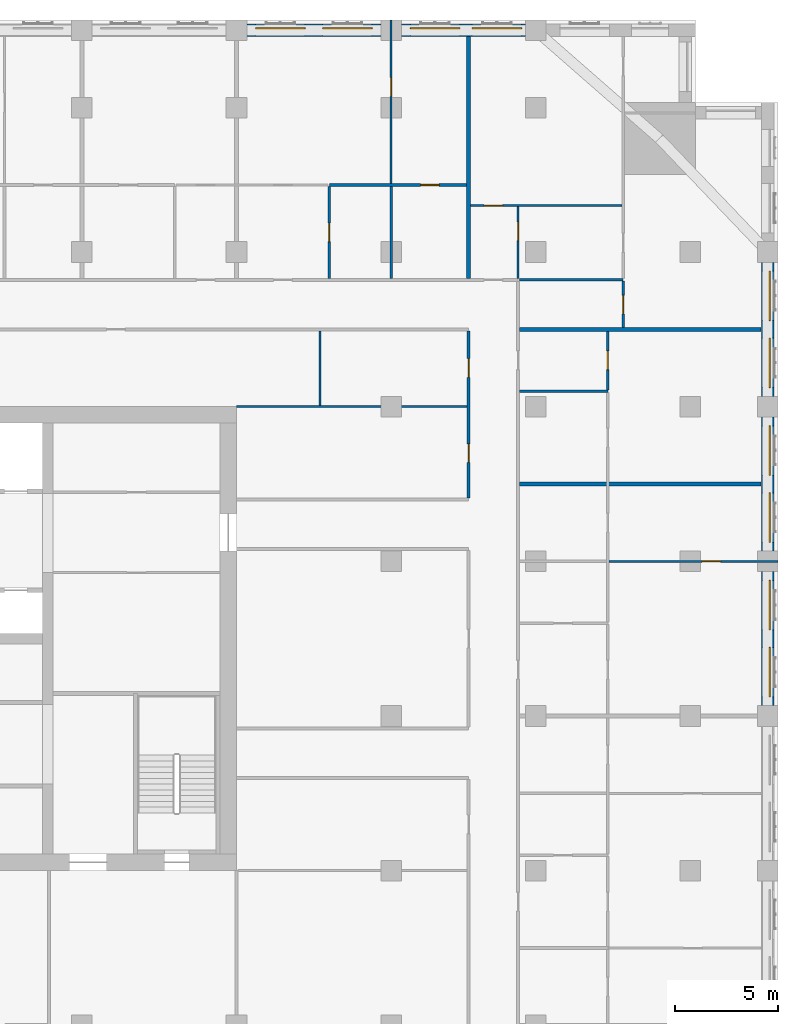
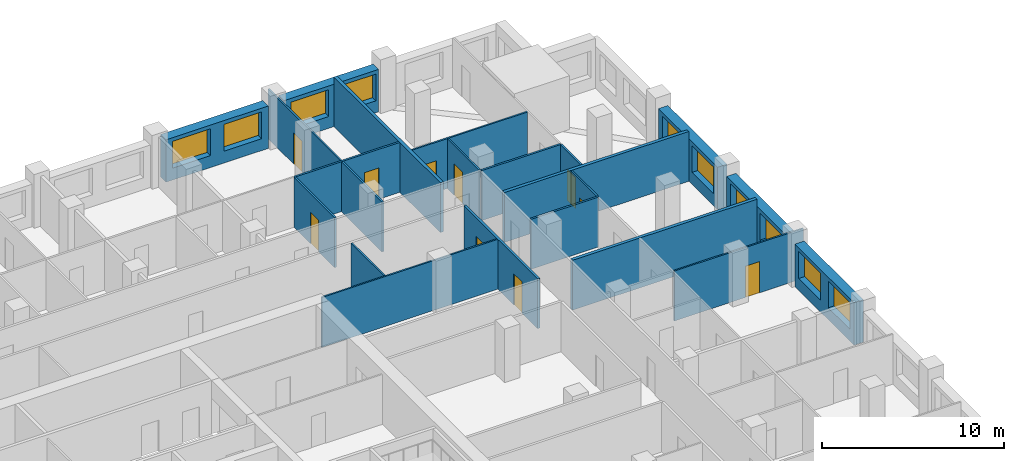
# One storey, part 10 of 13: 22 walls, 10 doors, 10 windows, 20 openings.
"""IFC4 building model written with IfcOpenShell, lengths in metres."""

import ifcopenshell
import ifcopenshell.guid

model = None  # the IFC model being written
_history = None  # IfcOwnerHistory: only IFC2X3 demands one
_inside = {}  # id of a spatial element -> (the spatial element, [elements in it])
_under = {}  # id of a project, library or spatial element -> (it, [spatial elements below it])
_declared = {}  # id of a project -> (the project, [libraries it declares])
_typed = {}  # id of a type object -> (the type object, [elements of that type])
_made_of = {}  # id of a material, layer set ... -> (it, [elements and type objects made of it])


def new_model(schema):
    """Start an empty IFC model of exactly this schema.

    Asked for "IFC4X3", IfcOpenShell would pick the latest addendum, in which some entities
    have other attributes; the version numbers below select the first issue.
    IFC2X3 requires an IfcOwnerHistory on every rooted entity: one is made here for all.
    """
    global model, _history
    if schema == "IFC4X3":
        model = ifcopenshell.file(schema_version=(4, 3, 0, 0))
    else:
        model = ifcopenshell.file(schema=schema)
    _inside.clear()
    _under.clear()
    _declared.clear()
    _typed.clear()
    _made_of.clear()
    _history = None
    if model.schema == "IFC2X3":
        org = make("IfcOrganization", Name="unknown")
        user = make(
            "IfcPersonAndOrganization",
            ThePerson=make("IfcPerson", FamilyName="unknown"),
            TheOrganization=org,
        )
        app = make(
            "IfcApplication",
            ApplicationDeveloper=org,
            Version="unknown",
            ApplicationFullName="unknown",
            ApplicationIdentifier="unknown",
        )
        _history = make(
            "IfcOwnerHistory",
            OwningUser=user,
            OwningApplication=app,
            ChangeAction="ADDED",
            CreationDate=0,
        )
    return model


def make(cls, **values):
    """One entity of the class cls with the attributes given. An attribute that is None is left unset."""
    return model.create_entity(
        cls, **{name: value for name, value in values.items() if value is not None}
    )


def rooted(cls, **values):
    """An entity with a GlobalId (a new one), such as an element, a storey or a relation."""
    return make(cls, GlobalId=ifcopenshell.guid.new(), OwnerHistory=_history, **values)


def si_unit(unit_type, name, prefix=None):
    """IfcSIUnit, for example si_unit("LENGTHUNIT", "METRE", prefix="MILLI")."""
    return make("IfcSIUnit", UnitType=unit_type, Prefix=prefix, Name=name)


def assignment(units):
    """IfcUnitAssignment: the units of a project."""
    return None if units is None else make("IfcUnitAssignment", Units=units)


def point(xyz):
    """IfcCartesianPoint."""
    return None if xyz is None else make("IfcCartesianPoint", Coordinates=xyz)


def direction(xyz):
    """IfcDirection."""
    return None if xyz is None else make("IfcDirection", DirectionRatios=xyz)


def frame(location, z_axis=None, x_axis=None):
    """IfcAxis2Placement3D, a coordinate frame: its origin and axes. An axis left out is left unset."""
    return make(
        "IfcAxis2Placement3D",
        Location=point(location),
        Axis=direction(z_axis),
        RefDirection=direction(x_axis),
    )


def frame_2d(location, x_axis=None):
    """IfcAxis2Placement2D, a coordinate frame in the plane: its origin and x axis."""
    return make(
        "IfcAxis2Placement2D", Location=point(location), RefDirection=direction(x_axis)
    )


def origin():
    """The frame at (0, 0, 0) with its axes left unset."""
    return frame((0.0, 0.0, 0.0))


def place(relative_to, where):
    """IfcLocalPlacement: puts the frame where relative to a parent placement (None: the world)."""
    return make(
        "IfcLocalPlacement", PlacementRelTo=relative_to, RelativePlacement=where
    )


def context(
    kind, dimensions, precision=None, world=None, true_north=None, identifier=None
):
    """IfcGeometricRepresentationContext, for example the 3D "Model" context."""
    return make(
        "IfcGeometricRepresentationContext",
        ContextIdentifier=identifier,
        ContextType=kind,
        CoordinateSpaceDimension=dimensions,
        Precision=precision,
        WorldCoordinateSystem=world,
        TrueNorth=true_north,
    )


def subcontext(parent, identifier, kind, view, scale=None):
    """IfcGeometricRepresentationSubContext, for example "Body" below "Model"."""
    return make(
        "IfcGeometricRepresentationSubContext",
        ContextIdentifier=identifier,
        ContextType=kind,
        ParentContext=parent,
        TargetScale=scale,
        TargetView=view,
    )


def project(units=None, contexts=None):
    """IfcProject with its units and contexts."""
    return rooted(
        "IfcProject",
        Name="project",
        RepresentationContexts=contexts,
        UnitsInContext=assignment(units),
    )


def spatial(cls, under=None, at=None, **own):
    """A site, building, storey or space (cls), placed at a placement, below another one or the project."""
    s = rooted(cls, ObjectPlacement=at, **own)
    if under is not None:
        _under.setdefault(under.id(), (under, []))[1].append(s)
    return s


def profile(cls, at=None, kind="AREA", **sizes):
    """A parametric profile (cls). Its sizes go by their IFC names, for example OverallWidth=200.0."""
    return make(cls, ProfileType=kind, Position=at, **sizes)


def rectangle(**sizes):
    """IfcRectangleProfileDef."""
    return profile("IfcRectangleProfileDef", **sizes)


def extrude(swept, where, along, depth):
    """IfcExtrudedAreaSolid: the profile swept, set in the frame where, extruded along a direction by depth."""
    return make(
        "IfcExtrudedAreaSolid",
        SweptArea=swept,
        Position=where,
        ExtrudedDirection=direction(along),
        Depth=depth,
    )


def shape(context_of_items, identifier, shape_type, items):
    """IfcShapeRepresentation: the items that make up one representation, for example the "Body"."""
    return make(
        "IfcShapeRepresentation",
        ContextOfItems=context_of_items,
        RepresentationIdentifier=identifier,
        RepresentationType=shape_type,
        Items=items,
    )


def material(Name=None, Category=None):
    """IfcMaterial."""
    return make("IfcMaterial", Name=Name, Category=Category)


def layer(
    of_material, thickness, ventilated=None, Name=None, Category=None, Priority=None
):
    """IfcMaterialLayer: one layer of a wall or slab, of a material (None: an air gap)."""
    return make(
        "IfcMaterialLayer",
        Material=of_material,
        LayerThickness=thickness,
        IsVentilated=ventilated,
        Name=Name,
        Category=Category,
        Priority=Priority,
    )


def layer_set(layers, Name=None):
    """IfcMaterialLayerSet."""
    return make("IfcMaterialLayerSet", MaterialLayers=layers, LayerSetName=Name)


def made_of(thing, what):
    """Note that an element or type object is made of a material, layer set ...; save() writes the relation."""
    if what is not None:
        _made_of.setdefault(what.id(), (what, []))[1].append(thing)
    return thing


def type_object(cls, material=None, **own):
    """A type object (cls), such as IfcWallType, which elements share."""
    return made_of(rooted(cls, **own), material)


def element(
    cls,
    number,
    at=None,
    inside=None,
    cuts=None,
    type_object=None,
    material=None,
    context=None,
    identifier="Body",
    shape_type=None,
    held_by="IfcProductDefinitionShape",
    body=None,
    shapes=None,
    **own,
):
    """One element of the class cls, such as IfcWall. Its Tag is "e" and its number.

    at: its placement. inside: the storey or other place that contains it. cuts: it is an
    opening in that element (IfcRelVoidsElement). A single representation is given by context,
    identifier, shape_type and body (its items); several are given by shapes. held_by: the class
    of the entity that holds the representations. save() writes the other relations.
    """
    e = rooted(cls, Tag="e%d" % number, ObjectPlacement=at, **own)
    if body is not None:
        shapes = [shape(context, identifier, shape_type, body)]
    if shapes is not None:
        e.Representation = make(held_by, Representations=shapes)
    if inside is not None:
        _inside.setdefault(inside.id(), (inside, []))[1].append(e)
    if cuts is not None:
        rooted(
            "IfcRelVoidsElement", RelatingBuildingElement=cuts, RelatedOpeningElement=e
        )
    if type_object is not None:
        _typed.setdefault(type_object.id(), (type_object, []))[1].append(e)
    return made_of(e, material)


def fill(opening, filler):
    """IfcRelFillsElement: the door or window that sits in an opening."""
    return rooted(
        "IfcRelFillsElement",
        RelatingOpeningElement=opening,
        RelatedBuildingElement=filler,
    )


def aggregate(whole, parts):
    """IfcRelAggregates: a whole, such as a stair, and the parts it consists of."""
    return rooted("IfcRelAggregates", RelatingObject=whole, RelatedObjects=parts)


def save(model, path):
    """Write the relations noted so far, then the file.

    IfcRelAggregates (storeys below a building ...), IfcRelContainedInSpatialStructure (elements
    in a storey), IfcRelDefinesByType, IfcRelAssociatesMaterial and IfcRelDeclares: one each for
    every whole, place, type object, material and project.
    """
    for whole, parts in _under.values():
        aggregate(whole, parts)
    for where, things in _inside.values():
        rooted(
            "IfcRelContainedInSpatialStructure",
            RelatedElements=things,
            RelatingStructure=where,
        )
    for kind, things in _typed.values():
        rooted("IfcRelDefinesByType", RelatedObjects=things, RelatingType=kind)
    for what, things in _made_of.values():
        rooted("IfcRelAssociatesMaterial", RelatedObjects=things, RelatingMaterial=what)
    for by, libraries in _declared.values():
        rooted("IfcRelDeclares", RelatingContext=by, RelatedDefinitions=libraries)
    model.write(path)


model = new_model("IFC4")

# Units and contexts
model_context = context("Model", 3, precision=1e-05, world=origin(), true_north=direction((0.0, 1.0)))
body_context = subcontext(model_context, "Body", "Model", "MODEL_VIEW")
ifc_project = project(units=[si_unit("LENGTHUNIT", "METRE"), si_unit("AREAUNIT", "SQUARE_METRE"), si_unit("VOLUMEUNIT", "CUBIC_METRE"), si_unit("PLANEANGLEUNIT", "RADIAN"), si_unit("MASSUNIT", "GRAM", prefix="KILO")], contexts=[model_context])

# Site, building, storey
site_placement = place(None, origin())
site = spatial("IfcSite", under=ifc_project, at=site_placement, CompositionType="ELEMENT")
building_placement = place(site_placement, origin())
building = spatial("IfcBuilding", under=site, at=building_placement, Name="Tamorin Gate", CompositionType="ELEMENT")
storey_placement = place(building_placement, frame((0.0, 0.0, 130.199951171875)))
storey = spatial("IfcBuildingStorey", under=building, at=storey_placement, Name="L31", CompositionType="ELEMENT", Elevation=130.199951171875)

# Wall, openings, windows
ifc_material_1 = material(Name="Precast concrete C40/50", Category="concrete")
ifc_layer_1 = layer(ifc_material_1, 0.60009765625)
ifc_layer_set_1 = layer_set([ifc_layer_1], Name="Precast concrete C40/50")
wall_type_1 = type_object("IfcWallType", Name="Board-marked concrete facade panel 600", PredefinedType="SOLIDWALL", material=ifc_layer_set_1)
wall_1_placement = place(storey_placement, frame((85.75, 68.0, 0.0), z_axis=(0.0, 0.0, 1.0), x_axis=(0.0, 1.0, 0.0)))
wall_1 = element("IfcWall", 1, at=wall_1_placement, inside=storey, type_object=wall_type_1, Name="Facade panel", PredefinedType="SOLIDWALL", context=body_context, shape_type="SweptSolid", body=[
    extrude(rectangle(XDim=6.5, YDim=0.60009765625, at=frame_2d((3.25, 0.0))), origin(), (0.0, 0.0, 1.0), 2.85009765625),
])
opening_1_placement = place(wall_1_placement, frame((0.425048828125, 0.0, 0.800048828125)))
opening_1 = element("IfcOpeningElement", 2, at=opening_1_placement, cuts=wall_1, Name="Opening WN1", PredefinedType="OPENING", context=body_context, shape_type="SweptSolid", body=[
    extrude(rectangle(XDim=2.39990234375, YDim=1.800048828125, at=frame_2d((1.199951171875, 0.89990234375))), frame((0.0, 0.31005859375, 0.0), z_axis=(0.0, -1.0, 0.0), x_axis=(1.0, 0.0, 0.0)), (0.0, 0.0, 1.0), 0.6201171875),
])
opening_2_placement = place(wall_1_placement, frame((3.675048828125, 0.0, 0.800048828125)))
opening_2 = element("IfcOpeningElement", 3, at=opening_2_placement, cuts=wall_1, Name="Opening WN1", PredefinedType="OPENING", context=body_context, shape_type="SweptSolid", body=[
    extrude(rectangle(XDim=2.39990234375, YDim=1.800048828125, at=frame_2d((1.199951171875, 0.89990234375))), frame((0.0, 0.31005859375, 0.0), z_axis=(0.0, -1.0, 0.0), x_axis=(1.0, 0.0, 0.0)), (0.0, 0.0, 1.0), 0.6201171875),
])
ifc_material_2 = material(Name="Clear glass in aluminium frame", Category="aluminium")
window_type = type_object("IfcWindowType", Name="Deep-set window 2400x1800", PartitioningType="SINGLE_PANEL", PredefinedType="WINDOW", material=ifc_material_2)
window_1_placement = place(opening_1_placement, origin())
window_1 = element("IfcWindow", 4, at=window_1_placement, inside=storey, type_object=window_type, Name="Deep-set window", OverallHeight=1.800048828125, OverallWidth=2.39990234375, PartitioningType="SINGLE_PANEL", PredefinedType="WINDOW", context=body_context, shape_type="SweptSolid", body=[
    extrude(rectangle(XDim=2.39990234375, YDim=1.800048828125, at=frame_2d((1.199951171875, 0.89990234375))), frame((0.0, -0.070068359375, 0.0), z_axis=(0.0, -1.0, 0.0), x_axis=(1.0, 0.0, 0.0)), (0.0, 0.0, 1.0), 0.06005859375),
])
fill(opening_1, window_1)
window_2_placement = place(opening_2_placement, origin())
window_2 = element("IfcWindow", 5, at=window_2_placement, inside=storey, type_object=window_type, Name="Deep-set window", OverallHeight=1.800048828125, OverallWidth=2.39990234375, PartitioningType="SINGLE_PANEL", PredefinedType="WINDOW", context=body_context, shape_type="SweptSolid", body=[
    extrude(rectangle(XDim=2.39990234375, YDim=1.800048828125, at=frame_2d((1.199951171875, 0.89990234375))), frame((0.0, -0.070068359375, 0.0), z_axis=(0.0, -1.0, 0.0), x_axis=(1.0, 0.0, 0.0)), (0.0, 0.0, 1.0), 0.06005859375),
])
fill(opening_2, window_2)

wall_2_placement = place(storey_placement, frame((85.75, 75.5, 0.0), z_axis=(0.0, 0.0, 1.0), x_axis=(0.0, 1.0, 0.0)))
wall_2 = element("IfcWall", 6, at=wall_2_placement, inside=storey, type_object=wall_type_1, Name="Facade panel", PredefinedType="SOLIDWALL", context=body_context, shape_type="SweptSolid", body=[
    extrude(rectangle(XDim=6.5, YDim=0.60009765625, at=frame_2d((3.25, 0.0))), origin(), (0.0, 0.0, 1.0), 2.85009765625),
])
opening_3_placement = place(wall_2_placement, frame((0.425048828125, 0.0, 0.800048828125)))
opening_3 = element("IfcOpeningElement", 7, at=opening_3_placement, cuts=wall_2, Name="Opening WN1", PredefinedType="OPENING", context=body_context, shape_type="SweptSolid", body=[
    extrude(rectangle(XDim=2.39990234375, YDim=1.800048828125, at=frame_2d((1.199951171875, 0.89990234375))), frame((0.0, 0.31005859375, 0.0), z_axis=(0.0, -1.0, 0.0), x_axis=(1.0, 0.0, 0.0)), (0.0, 0.0, 1.0), 0.6201171875),
])
opening_4_placement = place(wall_2_placement, frame((3.675048828125, 0.0, 0.800048828125)))
opening_4 = element("IfcOpeningElement", 8, at=opening_4_placement, cuts=wall_2, Name="Opening WN1", PredefinedType="OPENING", context=body_context, shape_type="SweptSolid", body=[
    extrude(rectangle(XDim=2.39990234375, YDim=1.800048828125, at=frame_2d((1.199951171875, 0.89990234375))), frame((0.0, 0.31005859375, 0.0), z_axis=(0.0, -1.0, 0.0), x_axis=(1.0, 0.0, 0.0)), (0.0, 0.0, 1.0), 0.6201171875),
])
window_3_placement = place(opening_3_placement, origin())
window_3 = element("IfcWindow", 9, at=window_3_placement, inside=storey, type_object=window_type, Name="Deep-set window", OverallHeight=1.800048828125, OverallWidth=2.39990234375, PartitioningType="SINGLE_PANEL", PredefinedType="WINDOW", context=body_context, shape_type="SweptSolid", body=[
    extrude(rectangle(XDim=2.39990234375, YDim=1.800048828125, at=frame_2d((1.199951171875, 0.89990234375))), frame((0.0, -0.070068359375, 0.0), z_axis=(0.0, -1.0, 0.0), x_axis=(1.0, 0.0, 0.0)), (0.0, 0.0, 1.0), 0.06005859375),
])
fill(opening_3, window_3)
window_4_placement = place(opening_4_placement, origin())
window_4 = element("IfcWindow", 10, at=window_4_placement, inside=storey, type_object=window_type, Name="Deep-set window", OverallHeight=1.800048828125, OverallWidth=2.39990234375, PartitioningType="SINGLE_PANEL", PredefinedType="WINDOW", context=body_context, shape_type="SweptSolid", body=[
    extrude(rectangle(XDim=2.39990234375, YDim=1.800048828125, at=frame_2d((1.199951171875, 0.89990234375))), frame((0.0, -0.070068359375, 0.0), z_axis=(0.0, -1.0, 0.0), x_axis=(1.0, 0.0, 0.0)), (0.0, 0.0, 1.0), 0.06005859375),
])
fill(opening_4, window_4)

wall_3_placement = place(storey_placement, frame((85.75, 83.0, 0.0), z_axis=(0.0, 0.0, 1.0), x_axis=(0.0, 1.0, 0.0)))
wall_3 = element("IfcWall", 11, at=wall_3_placement, inside=storey, type_object=wall_type_1, Name="Facade panel", PredefinedType="SOLIDWALL", context=body_context, shape_type="SweptSolid", body=[
    extrude(rectangle(XDim=6.5, YDim=0.60009765625, at=frame_2d((3.25, 0.0))), origin(), (0.0, 0.0, 1.0), 2.85009765625),
])
opening_5_placement = place(wall_3_placement, frame((0.425048828125, 0.0, 0.800048828125)))
opening_5 = element("IfcOpeningElement", 12, at=opening_5_placement, cuts=wall_3, Name="Opening WN1", PredefinedType="OPENING", context=body_context, shape_type="SweptSolid", body=[
    extrude(rectangle(XDim=2.39990234375, YDim=1.800048828125, at=frame_2d((1.199951171875, 0.89990234375))), frame((0.0, 0.31005859375, 0.0), z_axis=(0.0, -1.0, 0.0), x_axis=(1.0, 0.0, 0.0)), (0.0, 0.0, 1.0), 0.6201171875),
])
opening_6_placement = place(wall_3_placement, frame((3.675048828125, 0.0, 0.800048828125)))
opening_6 = element("IfcOpeningElement", 13, at=opening_6_placement, cuts=wall_3, Name="Opening WN1", PredefinedType="OPENING", context=body_context, shape_type="SweptSolid", body=[
    extrude(rectangle(XDim=2.39990234375, YDim=1.800048828125, at=frame_2d((1.199951171875, 0.89990234375))), frame((0.0, 0.31005859375, 0.0), z_axis=(0.0, -1.0, 0.0), x_axis=(1.0, 0.0, 0.0)), (0.0, 0.0, 1.0), 0.6201171875),
])
window_5_placement = place(opening_5_placement, origin())
window_5 = element("IfcWindow", 14, at=window_5_placement, inside=storey, type_object=window_type, Name="Deep-set window", OverallHeight=1.800048828125, OverallWidth=2.39990234375, PartitioningType="SINGLE_PANEL", PredefinedType="WINDOW", context=body_context, shape_type="SweptSolid", body=[
    extrude(rectangle(XDim=2.39990234375, YDim=1.800048828125, at=frame_2d((1.199951171875, 0.89990234375))), frame((0.0, -0.070068359375, 0.0), z_axis=(0.0, -1.0, 0.0), x_axis=(1.0, 0.0, 0.0)), (0.0, 0.0, 1.0), 0.06005859375),
])
fill(opening_5, window_5)
window_6_placement = place(opening_6_placement, origin())
window_6 = element("IfcWindow", 15, at=window_6_placement, inside=storey, type_object=window_type, Name="Deep-set window", OverallHeight=1.800048828125, OverallWidth=2.39990234375, PartitioningType="SINGLE_PANEL", PredefinedType="WINDOW", context=body_context, shape_type="SweptSolid", body=[
    extrude(rectangle(XDim=2.39990234375, YDim=1.800048828125, at=frame_2d((1.199951171875, 0.89990234375))), frame((0.0, -0.070068359375, 0.0), z_axis=(0.0, -1.0, 0.0), x_axis=(1.0, 0.0, 0.0)), (0.0, 0.0, 1.0), 0.06005859375),
])
fill(opening_6, window_6)

wall_4_placement = place(storey_placement, frame((74.0, 100.75, 0.0), z_axis=(0.0, 0.0, 1.0), x_axis=(-1.0, 0.0, 0.0)))
wall_4 = element("IfcWall", 16, at=wall_4_placement, inside=storey, type_object=wall_type_1, Name="Facade panel", PredefinedType="SOLIDWALL", context=body_context, shape_type="SweptSolid", body=[
    extrude(rectangle(XDim=6.0, YDim=0.60009765625, at=frame_2d((3.0, 0.0))), origin(), (0.0, 0.0, 1.0), 2.85009765625),
])
opening_7_placement = place(wall_4_placement, frame((3.175048828125, 0.0, 0.800048828125)))
opening_7 = element("IfcOpeningElement", 17, at=opening_7_placement, cuts=wall_4, Name="Opening WN1", PredefinedType="OPENING", context=body_context, shape_type="SweptSolid", body=[
    extrude(rectangle(XDim=2.39990234375, YDim=1.800048828125, at=frame_2d((1.199951171875, 0.89990234375))), frame((0.0, 0.31005859375, 0.0), z_axis=(0.0, -1.0, 0.0), x_axis=(1.0, 0.0, 0.0)), (0.0, 0.0, 1.0), 0.6201171875),
])
opening_8_placement = place(wall_4_placement, frame((0.175048828125, 0.0, 0.800048828125)))
opening_8 = element("IfcOpeningElement", 18, at=opening_8_placement, cuts=wall_4, Name="Opening WN1", PredefinedType="OPENING", context=body_context, shape_type="SweptSolid", body=[
    extrude(rectangle(XDim=2.39990234375, YDim=1.800048828125, at=frame_2d((1.199951171875, 0.89990234375))), frame((0.0, 0.31005859375, 0.0), z_axis=(0.0, -1.0, 0.0), x_axis=(1.0, 0.0, 0.0)), (0.0, 0.0, 1.0), 0.6201171875),
])
window_7_placement = place(opening_7_placement, origin())
window_7 = element("IfcWindow", 19, at=window_7_placement, inside=storey, type_object=window_type, Name="Deep-set window", OverallHeight=1.800048828125, OverallWidth=2.39990234375, PartitioningType="SINGLE_PANEL", PredefinedType="WINDOW", context=body_context, shape_type="SweptSolid", body=[
    extrude(rectangle(XDim=2.39990234375, YDim=1.800048828125, at=frame_2d((1.199951171875, 0.89990234375))), frame((0.0, -0.070068359375, 0.0), z_axis=(0.0, -1.0, 0.0), x_axis=(1.0, 0.0, 0.0)), (0.0, 0.0, 1.0), 0.06005859375),
])
fill(opening_7, window_7)
window_8_placement = place(opening_8_placement, origin())
window_8 = element("IfcWindow", 20, at=window_8_placement, inside=storey, type_object=window_type, Name="Deep-set window", OverallHeight=1.800048828125, OverallWidth=2.39990234375, PartitioningType="SINGLE_PANEL", PredefinedType="WINDOW", context=body_context, shape_type="SweptSolid", body=[
    extrude(rectangle(XDim=2.39990234375, YDim=1.800048828125, at=frame_2d((1.199951171875, 0.89990234375))), frame((0.0, -0.070068359375, 0.0), z_axis=(0.0, -1.0, 0.0), x_axis=(1.0, 0.0, 0.0)), (0.0, 0.0, 1.0), 0.06005859375),
])
fill(opening_8, window_8)

wall_5_placement = place(storey_placement, frame((67.0, 100.75, 0.0), z_axis=(0.0, 0.0, 1.0), x_axis=(-1.0, 0.0, 0.0)))
wall_5 = element("IfcWall", 21, at=wall_5_placement, inside=storey, type_object=wall_type_1, Name="Facade panel", PredefinedType="SOLIDWALL", context=body_context, shape_type="SweptSolid", body=[
    extrude(rectangle(XDim=6.5, YDim=0.60009765625, at=frame_2d((3.25, 0.0))), origin(), (0.0, 0.0, 1.0), 2.85009765625),
])
opening_9_placement = place(wall_5_placement, frame((3.675048828125, 0.0, 0.800048828125)))
opening_9 = element("IfcOpeningElement", 22, at=opening_9_placement, cuts=wall_5, Name="Opening WN1", PredefinedType="OPENING", context=body_context, shape_type="SweptSolid", body=[
    extrude(rectangle(XDim=2.39990234375, YDim=1.800048828125, at=frame_2d((1.199951171875, 0.89990234375))), frame((0.0, 0.31005859375, 0.0), z_axis=(0.0, -1.0, 0.0), x_axis=(1.0, 0.0, 0.0)), (0.0, 0.0, 1.0), 0.6201171875),
])
opening_10_placement = place(wall_5_placement, frame((0.425048828125, 0.0, 0.800048828125)))
opening_10 = element("IfcOpeningElement", 23, at=opening_10_placement, cuts=wall_5, Name="Opening WN1", PredefinedType="OPENING", context=body_context, shape_type="SweptSolid", body=[
    extrude(rectangle(XDim=2.39990234375, YDim=1.800048828125, at=frame_2d((1.199951171875, 0.89990234375))), frame((0.0, 0.31005859375, 0.0), z_axis=(0.0, -1.0, 0.0), x_axis=(1.0, 0.0, 0.0)), (0.0, 0.0, 1.0), 0.6201171875),
])
window_9_placement = place(opening_9_placement, origin())
window_9 = element("IfcWindow", 24, at=window_9_placement, inside=storey, type_object=window_type, Name="Deep-set window", OverallHeight=1.800048828125, OverallWidth=2.39990234375, PartitioningType="SINGLE_PANEL", PredefinedType="WINDOW", context=body_context, shape_type="SweptSolid", body=[
    extrude(rectangle(XDim=2.39990234375, YDim=1.800048828125, at=frame_2d((1.199951171875, 0.89990234375))), frame((0.0, -0.070068359375, 0.0), z_axis=(0.0, -1.0, 0.0), x_axis=(1.0, 0.0, 0.0)), (0.0, 0.0, 1.0), 0.06005859375),
])
fill(opening_9, window_9)
window_10_placement = place(opening_10_placement, origin())
window_10 = element("IfcWindow", 25, at=window_10_placement, inside=storey, type_object=window_type, Name="Deep-set window", OverallHeight=1.800048828125, OverallWidth=2.39990234375, PartitioningType="SINGLE_PANEL", PredefinedType="WINDOW", context=body_context, shape_type="SweptSolid", body=[
    extrude(rectangle(XDim=2.39990234375, YDim=1.800048828125, at=frame_2d((1.199951171875, 0.89990234375))), frame((0.0, -0.070068359375, 0.0), z_axis=(0.0, -1.0, 0.0), x_axis=(1.0, 0.0, 0.0)), (0.0, 0.0, 1.0), 0.06005859375),
])
fill(opening_10, window_10)

# Wall, openings, doors
ifc_material_3 = material(Name="Gypsum board partition")
ifc_layer_2 = layer(ifc_material_3, 0.14990234375)
ifc_layer_set_2 = layer_set([ifc_layer_2], Name="Corridor wall 150")
wall_type_2 = type_object("IfcWallType", Name="Corridor wall 150", PredefinedType="PARTITIONING", material=ifc_layer_set_2)
wall_6_placement = place(storey_placement, frame((71.25, 78.074951171875, 0.0), z_axis=(0.0, 0.0, 1.0), x_axis=(0.0, 1.0, 0.0)))
wall_6 = element("IfcWall", 26, at=wall_6_placement, inside=storey, type_object=wall_type_2, Name="Corridor wall 150", PredefinedType="PARTITIONING", context=body_context, shape_type="SweptSolid", body=[
    extrude(rectangle(XDim=8.10009765625, YDim=0.14990234375, at=frame_2d((4.050048828125, 0.0))), origin(), (0.0, 0.0, 1.0), 3.35009765625),
])
opening_11_placement = place(wall_6_placement, frame((5.85009765625, 0.0, 0.0)))
opening_11 = element("IfcOpeningElement", 27, at=opening_11_placement, cuts=wall_6, Name="Opening DS1069", PredefinedType="OPENING", context=body_context, shape_type="SweptSolid", body=[
    extrude(rectangle(XDim=0.89990234375, YDim=2.10009765625, at=frame_2d((0.449951171875, 1.050048828125))), frame((0.0, 0.0849609375, 0.0), z_axis=(0.0, -1.0, 0.0), x_axis=(1.0, 0.0, 0.0)), (0.0, 0.0, 1.0), 0.169921875),
])
opening_12_placement = place(wall_6_placement, frame((1.72509765625, 0.0, 0.0)))
opening_12 = element("IfcOpeningElement", 28, at=opening_12_placement, cuts=wall_6, Name="Opening DS1072", PredefinedType="OPENING", context=body_context, shape_type="SweptSolid", body=[
    extrude(rectangle(XDim=0.89990234375, YDim=2.10009765625, at=frame_2d((0.449951171875, 1.050048828125))), frame((0.0, 0.0849609375, 0.0), z_axis=(0.0, -1.0, 0.0), x_axis=(1.0, 0.0, 0.0)), (0.0, 0.0, 1.0), 0.169921875),
])
ifc_material_4 = material(Name="Timber door leaf", Category="wood")
door_type_1 = type_object("IfcDoorType", Name="Door 900 x 2100 FD30S", OperationType="NOTDEFINED", PredefinedType="DOOR", material=ifc_material_4)
door_1_placement = place(opening_11_placement, origin())
door_1 = element("IfcDoor", 29, at=door_1_placement, inside=storey, type_object=door_type_1, Name="Door DS1069", OperationType="SINGLE_SWING_LEFT", OverallHeight=2.10009765625, OverallWidth=0.89990234375, PredefinedType="DOOR", context=body_context, shape_type="SweptSolid", body=[
    extrude(rectangle(XDim=0.89990234375, YDim=2.10009765625, at=frame_2d((0.449951171875, 1.050048828125))), frame((0.0, 0.02490234375, 0.0), z_axis=(0.0, -1.0, 0.0), x_axis=(1.0, 0.0, 0.0)), (0.0, 0.0, 1.0), 0.050048828125),
])
fill(opening_11, door_1)
door_2_placement = place(opening_12_placement, origin())
door_2 = element("IfcDoor", 30, at=door_2_placement, inside=storey, type_object=door_type_1, Name="Door DS1072", OperationType="SINGLE_SWING_LEFT", OverallHeight=2.10009765625, OverallWidth=0.89990234375, PredefinedType="DOOR", context=body_context, shape_type="SweptSolid", body=[
    extrude(rectangle(XDim=0.89990234375, YDim=2.10009765625, at=frame_2d((0.449951171875, 1.050048828125))), frame((0.0, 0.02490234375, 0.0), z_axis=(0.0, -1.0, 0.0), x_axis=(1.0, 0.0, 0.0)), (0.0, 0.0, 1.0), 0.050048828125),
])
fill(opening_12, door_2)

# Walls
ifc_layer_3 = layer(ifc_material_3, 0.199951171875)
ifc_layer_set_3 = layer_set([ifc_layer_3], Name="Demising wall 200")
wall_type_3 = type_object("IfcWallType", Name="Demising wall 200", PredefinedType="PARTITIONING", material=ifc_layer_set_3)
for number, where, z_axis, x_axis, name in (
    (31, (73.72509765625, 78.75, 0.0), (0.0, 0.0, 1.0), (1.0, 0.0, 0.0), "Demising wall 200"),
    (32, (73.72509765625, 86.25, 0.0), (0.0, 0.0, 1.0), (1.0, 0.0, 0.0), "Demising wall 200"),
    (33, (71.25, 88.72509765625, 0.0), (0.0, 0.0, 1.0), (0.0, 1.0, 0.0), "Demising wall 200"),
):
    element("IfcWall", number, at=place(storey_placement, frame(where, z_axis=z_axis, x_axis=x_axis)), inside=storey, type_object=wall_type_3, Name=name, PredefinedType="PARTITIONING", context=body_context, shape_type="SweptSolid", body=[
        extrude(rectangle(XDim=11.71484375, YDim=0.199951171875, at=frame_2d((5.857421875, 0.0))), origin(), (0.0, 0.0, 1.0), 3.35009765625),
    ])

# Wall, opening, door
ifc_layer_4 = layer(ifc_material_3, 0.10009765625)
ifc_layer_set_4 = layer_set([ifc_layer_4], Name="Room partition 100")
wall_type_4 = type_object("IfcWallType", Name="Room partition 100", PredefinedType="PARTITIONING", material=ifc_layer_set_4)
wall_7_placement = place(storey_placement, frame((78.0625, 75.0, 0.0), z_axis=(0.0, 0.0, 1.0), x_axis=(1.0, 0.0, 0.0)))
wall_7 = element("IfcWall", 34, at=wall_7_placement, inside=storey, type_object=wall_type_4, Name="Room partition 100", PredefinedType="PARTITIONING", context=body_context, shape_type="SweptSolid", body=[
    extrude(rectangle(XDim=8.1875, YDim=0.10009765625, at=frame_2d((4.09375, 0.0))), origin(), (0.0, 0.0, 1.0), 3.35009765625),
])
opening_13_placement = place(wall_7_placement, frame((4.512451171875, 0.0, 0.0)))
opening_13 = element("IfcOpeningElement", 35, at=opening_13_placement, cuts=wall_7, Name="Opening DS1047", PredefinedType="OPENING", context=body_context, shape_type="SweptSolid", body=[
    extrude(rectangle(XDim=0.89990234375, YDim=2.10009765625, at=frame_2d((0.449951171875, 1.050048828125))), frame((0.0, 0.06005859375, 0.0), z_axis=(0.0, -1.0, 0.0), x_axis=(1.0, 0.0, 0.0)), (0.0, 0.0, 1.0), 0.1201171875),
])
door_type_2 = type_object("IfcDoorType", Name="Door 900 x 2100", OperationType="NOTDEFINED", PredefinedType="DOOR", material=ifc_material_4)
door_3_placement = place(opening_13_placement, origin())
door_3 = element("IfcDoor", 36, at=door_3_placement, inside=storey, type_object=door_type_2, Name="Door DS1047", OperationType="SINGLE_SWING_LEFT", OverallHeight=2.10009765625, OverallWidth=0.89990234375, PredefinedType="DOOR", context=body_context, shape_type="SweptSolid", body=[
    extrude(rectangle(XDim=0.89990234375, YDim=2.10009765625, at=frame_2d((0.449951171875, 1.050048828125))), frame((0.0, 0.02490234375, 0.0), z_axis=(0.0, -1.0, 0.0), x_axis=(1.0, 0.0, 0.0)), (0.0, 0.0, 1.0), 0.050048828125),
])
fill(opening_13, door_3)

# Wall
wall_8_placement = place(storey_placement, frame((60.0, 82.5, 0.0), z_axis=(0.0, 0.0, 1.0), x_axis=(1.0, 0.0, 0.0)))
element("IfcWall", 37, at=wall_8_placement, inside=storey, type_object=wall_type_4, Name="Room partition 100", PredefinedType="PARTITIONING", context=body_context, shape_type="SweptSolid", body=[
    extrude(rectangle(XDim=11.175048828125, YDim=0.10009765625, at=frame_2d((5.58740234375, 0.0))), origin(), (0.0, 0.0, 1.0), 3.35009765625),
])

# Wall, opening, door
wall_9_placement = place(storey_placement, frame((71.35009765625, 92.25, 0.0), z_axis=(0.0, 0.0, 1.0), x_axis=(1.0, 0.0, 0.0)))
wall_9 = element("IfcWall", 38, at=wall_9_placement, inside=storey, type_object=wall_type_4, Name="Room partition 100", PredefinedType="PARTITIONING", context=body_context, shape_type="SweptSolid", body=[
    extrude(rectangle(XDim=7.349853515625, YDim=0.10009765625, at=frame_2d((3.6748046875, 0.0))), origin(), (0.0, 0.0, 1.0), 3.35009765625),
])
opening_14_placement = place(wall_9_placement, frame((0.64990234375, 0.0, 0.0)))
opening_14 = element("IfcOpeningElement", 39, at=opening_14_placement, cuts=wall_9, Name="Opening DS1058", PredefinedType="OPENING", context=body_context, shape_type="SweptSolid", body=[
    extrude(rectangle(XDim=0.89990234375, YDim=2.10009765625, at=frame_2d((0.449951171875, 1.050048828125))), frame((0.0, 0.06005859375, 0.0), z_axis=(0.0, -1.0, 0.0), x_axis=(1.0, 0.0, 0.0)), (0.0, 0.0, 1.0), 0.1201171875),
])
door_4_placement = place(opening_14_placement, origin())
door_4 = element("IfcDoor", 40, at=door_4_placement, inside=storey, type_object=door_type_2, Name="Door DS1058", OperationType="SINGLE_SWING_LEFT", OverallHeight=2.10009765625, OverallWidth=0.89990234375, PredefinedType="DOOR", context=body_context, shape_type="SweptSolid", body=[
    extrude(rectangle(XDim=0.89990234375, YDim=2.10009765625, at=frame_2d((0.449951171875, 1.050048828125))), frame((0.0, 0.02490234375, 0.0), z_axis=(0.0, -1.0, 0.0), x_axis=(1.0, 0.0, 0.0)), (0.0, 0.0, 1.0), 0.050048828125),
])
fill(opening_14, door_4)

# Wall
wall_10_placement = place(storey_placement, frame((64.050048828125, 82.550048828125, 0.0), z_axis=(0.0, 0.0, 1.0), x_axis=(0.0, 1.0, 0.0)))
element("IfcWall", 41, at=wall_10_placement, inside=storey, type_object=wall_type_4, Name="Room partition 100", PredefinedType="PARTITIONING", context=body_context, shape_type="SweptSolid", body=[
    extrude(rectangle(XDim=3.625, YDim=0.10009765625, at=frame_2d((1.8125, 0.0))), origin(), (0.0, 0.0, 1.0), 3.35009765625),
])

# Wall, opening, door
wall_11_placement = place(storey_placement, frame((67.5, 93.3125, 0.0), z_axis=(0.0, 0.0, 1.0), x_axis=(0.0, 1.0, 0.0)))
wall_11 = element("IfcWall", 42, at=wall_11_placement, inside=storey, type_object=wall_type_4, Name="Room partition 100", PredefinedType="PARTITIONING", context=body_context, shape_type="SweptSolid", body=[
    extrude(rectangle(XDim=7.9375, YDim=0.10009765625, at=frame_2d((3.96875, 0.0))), origin(), (0.0, 0.0, 1.0), 3.35009765625),
])
opening_15_placement = place(wall_11_placement, frame((4.237548828125, 0.0, 0.0)))
opening_15 = element("IfcOpeningElement", 43, at=opening_15_placement, cuts=wall_11, Name="Opening DS1035", PredefinedType="OPENING", context=body_context, shape_type="SweptSolid", body=[
    extrude(rectangle(XDim=0.89990234375, YDim=2.10009765625, at=frame_2d((0.449951171875, 1.050048828125))), frame((0.0, 0.06005859375, 0.0), z_axis=(0.0, -1.0, 0.0), x_axis=(1.0, 0.0, 0.0)), (0.0, 0.0, 1.0), 0.1201171875),
])
door_5_placement = place(opening_15_placement, origin())
door_5 = element("IfcDoor", 44, at=door_5_placement, inside=storey, type_object=door_type_2, Name="Door DS1035", OperationType="SINGLE_SWING_RIGHT", OverallHeight=2.10009765625, OverallWidth=0.89990234375, PredefinedType="DOOR", context=body_context, shape_type="SweptSolid", body=[
    extrude(rectangle(XDim=0.89990234375, YDim=2.10009765625, at=frame_2d((0.449951171875, 1.050048828125))), frame((0.0, 0.02490234375, 0.0), z_axis=(0.0, -1.0, 0.0), x_axis=(1.0, 0.0, 0.0)), (0.0, 0.0, 1.0), 0.050048828125),
])
fill(opening_15, door_5)

wall_12_placement = place(storey_placement, frame((73.64990234375, 88.72509765625, 0.0), z_axis=(0.0, 0.0, 1.0), x_axis=(0.0, 1.0, 0.0)))
wall_12 = element("IfcWall", 45, at=wall_12_placement, inside=storey, type_object=wall_type_4, Name="Room partition 100", PredefinedType="PARTITIONING", context=body_context, shape_type="SweptSolid", body=[
    extrude(rectangle(XDim=3.474853515625, YDim=0.10009765625, at=frame_2d((1.7373046875, 0.0))), origin(), (0.0, 0.0, 1.0), 3.35009765625),
])
opening_16_placement = place(wall_12_placement, frame((1.824951171875, 0.0, 0.0)))
opening_16 = element("IfcOpeningElement", 46, at=opening_16_placement, cuts=wall_12, Name="Opening DS1059", PredefinedType="OPENING", context=body_context, shape_type="SweptSolid", body=[
    extrude(rectangle(XDim=0.89990234375, YDim=2.10009765625, at=frame_2d((0.449951171875, 1.050048828125))), frame((0.0, 0.06005859375, 0.0), z_axis=(0.0, -1.0, 0.0), x_axis=(1.0, 0.0, 0.0)), (0.0, 0.0, 1.0), 0.1201171875),
])
door_6_placement = place(opening_16_placement, origin())
door_6 = element("IfcDoor", 47, at=door_6_placement, inside=storey, type_object=door_type_2, Name="Door DS1059", OperationType="SINGLE_SWING_RIGHT", OverallHeight=2.10009765625, OverallWidth=0.89990234375, PredefinedType="DOOR", context=body_context, shape_type="SweptSolid", body=[
    extrude(rectangle(XDim=0.89990234375, YDim=2.10009765625, at=frame_2d((0.449951171875, 1.050048828125))), frame((0.0, 0.02490234375, 0.0), z_axis=(0.0, -1.0, 0.0), x_axis=(1.0, 0.0, 0.0)), (0.0, 0.0, 1.0), 0.050048828125),
])
fill(opening_16, door_6)

wall_13_placement = place(storey_placement, frame((78.0, 83.3125, 0.0), z_axis=(0.0, 0.0, 1.0), x_axis=(0.0, 1.0, 0.0)))
wall_13 = element("IfcWall", 48, at=wall_13_placement, inside=storey, type_object=wall_type_4, Name="Room partition 100", PredefinedType="PARTITIONING", context=body_context, shape_type="SweptSolid", body=[
    extrude(rectangle(XDim=2.83740234375, YDim=0.10009765625, at=frame_2d((1.418701171875, 0.0))), origin(), (0.0, 0.0, 1.0), 3.35009765625),
])
opening_17_placement = place(wall_13_placement, frame((0.987548828125, 0.0, 0.0)))
opening_17 = element("IfcOpeningElement", 49, at=opening_17_placement, cuts=wall_13, Name="Opening DS1050", PredefinedType="OPENING", context=body_context, shape_type="SweptSolid", body=[
    extrude(rectangle(XDim=0.89990234375, YDim=2.10009765625, at=frame_2d((0.449951171875, 1.050048828125))), frame((0.0, 0.06005859375, 0.0), z_axis=(0.0, -1.0, 0.0), x_axis=(1.0, 0.0, 0.0)), (0.0, 0.0, 1.0), 0.1201171875),
])
door_7_placement = place(opening_17_placement, origin())
door_7 = element("IfcDoor", 50, at=door_7_placement, inside=storey, type_object=door_type_2, Name="Door DS1050", OperationType="SINGLE_SWING_LEFT", OverallHeight=2.10009765625, OverallWidth=0.89990234375, PredefinedType="DOOR", context=body_context, shape_type="SweptSolid", body=[
    extrude(rectangle(XDim=0.89990234375, YDim=2.10009765625, at=frame_2d((0.449951171875, 1.050048828125))), frame((0.0, 0.02490234375, 0.0), z_axis=(0.0, -1.0, 0.0), x_axis=(1.0, 0.0, 0.0)), (0.0, 0.0, 1.0), 0.050048828125),
])
fill(opening_17, door_7)

# Walls
ifc_layer_5 = layer(ifc_material_3, 0.125)
ifc_layer_set_5 = layer_set([ifc_layer_5], Name="Wet wall 125")
wall_type_5 = type_object("IfcWallType", Name="Wet wall 125", PredefinedType="PARTITIONING", material=ifc_layer_set_5)
wall_14_placement = place(storey_placement, frame((73.72509765625, 83.25, 0.0), z_axis=(0.0, 0.0, 1.0), x_axis=(1.0, 0.0, 0.0)))
element("IfcWall", 51, at=wall_14_placement, inside=storey, type_object=wall_type_5, Name="Wet wall 125", PredefinedType="PARTITIONING", context=body_context, shape_type="SweptSolid", body=[
    extrude(rectangle(XDim=4.27490234375, YDim=0.125, at=frame_2d((2.137451171875, 0.0))), origin(), (0.0, 0.0, 1.0), 3.35009765625),
])
wall_15_placement = place(storey_placement, frame((73.72509765625, 88.64990234375, 0.0), z_axis=(0.0, 0.0, 1.0), x_axis=(1.0, 0.0, 0.0)))
element("IfcWall", 52, at=wall_15_placement, inside=storey, type_object=wall_type_5, Name="Wet wall 125", PredefinedType="PARTITIONING", context=body_context, shape_type="SweptSolid", body=[
    extrude(rectangle(XDim=5.02490234375, YDim=0.125, at=frame_2d((2.512451171875, 0.0))), origin(), (0.0, 0.0, 1.0), 3.35009765625),
])

# Wall, opening, door
wall_16_placement = place(storey_placement, frame((64.5, 93.25, 0.0), z_axis=(0.0, 0.0, 1.0), x_axis=(1.0, 0.0, 0.0)))
wall_16 = element("IfcWall", 53, at=wall_16_placement, inside=storey, type_object=wall_type_5, Name="Wet wall 125", PredefinedType="PARTITIONING", context=body_context, shape_type="SweptSolid", body=[
    extrude(rectangle(XDim=6.64990234375, YDim=0.125, at=frame_2d((3.324951171875, 0.0))), origin(), (0.0, 0.0, 1.0), 3.35009765625),
])
opening_18_placement = place(wall_16_placement, frame((4.425048828125, 0.0, 0.0)))
opening_18 = element("IfcOpeningElement", 54, at=opening_18_placement, cuts=wall_16, Name="Opening DS1034", PredefinedType="OPENING", context=body_context, shape_type="SweptSolid", body=[
    extrude(rectangle(XDim=0.89990234375, YDim=2.10009765625, at=frame_2d((0.449951171875, 1.050048828125))), frame((0.0, 0.072509765625, 0.0), z_axis=(0.0, -1.0, 0.0), x_axis=(1.0, 0.0, 0.0)), (0.0, 0.0, 1.0), 0.14501953125),
])
door_8_placement = place(opening_18_placement, origin())
door_8 = element("IfcDoor", 55, at=door_8_placement, inside=storey, type_object=door_type_2, Name="Door DS1034", OperationType="SINGLE_SWING_RIGHT", OverallHeight=2.10009765625, OverallWidth=0.89990234375, PredefinedType="DOOR", context=body_context, shape_type="SweptSolid", body=[
    extrude(rectangle(XDim=0.89990234375, YDim=2.10009765625, at=frame_2d((0.449951171875, 1.050048828125))), frame((0.0, 0.02490234375, 0.0), z_axis=(0.0, -1.0, 0.0), x_axis=(1.0, 0.0, 0.0)), (0.0, 0.0, 1.0), 0.050048828125),
])
fill(opening_18, door_8)

wall_17_placement = place(storey_placement, frame((64.5, 88.72509765625, 0.0), z_axis=(0.0, 0.0, 1.0), x_axis=(0.0, 1.0, 0.0)))
wall_17 = element("IfcWall", 56, at=wall_17_placement, inside=storey, type_object=wall_type_5, Name="Wet wall 125", PredefinedType="PARTITIONING", context=body_context, shape_type="SweptSolid", body=[
    extrude(rectangle(XDim=4.46240234375, YDim=0.125, at=frame_2d((2.231201171875, 0.0))), origin(), (0.0, 0.0, 1.0), 3.35009765625),
])
opening_19_placement = place(wall_17_placement, frame((1.77490234375, 0.0, 0.0)))
opening_19 = element("IfcOpeningElement", 57, at=opening_19_placement, cuts=wall_17, Name="Opening DS1033", PredefinedType="OPENING", context=body_context, shape_type="SweptSolid", body=[
    extrude(rectangle(XDim=0.89990234375, YDim=2.10009765625, at=frame_2d((0.449951171875, 1.050048828125))), frame((0.0, 0.072509765625, 0.0), z_axis=(0.0, -1.0, 0.0), x_axis=(1.0, 0.0, 0.0)), (0.0, 0.0, 1.0), 0.14501953125),
])
door_9_placement = place(opening_19_placement, origin())
door_9 = element("IfcDoor", 58, at=door_9_placement, inside=storey, type_object=door_type_2, Name="Door DS1033", OperationType="SINGLE_SWING_LEFT", OverallHeight=2.10009765625, OverallWidth=0.89990234375, PredefinedType="DOOR", context=body_context, shape_type="SweptSolid", body=[
    extrude(rectangle(XDim=0.89990234375, YDim=2.10009765625, at=frame_2d((0.449951171875, 1.050048828125))), frame((0.0, 0.02490234375, 0.0), z_axis=(0.0, -1.0, 0.0), x_axis=(1.0, 0.0, 0.0)), (0.0, 0.0, 1.0), 0.050048828125),
])
fill(opening_19, door_9)

# Wall
wall_18_placement = place(storey_placement, frame((67.5, 88.72509765625, 0.0), z_axis=(0.0, 0.0, 1.0), x_axis=(0.0, 1.0, 0.0)))
element("IfcWall", 59, at=wall_18_placement, inside=storey, type_object=wall_type_5, Name="Wet wall 125", PredefinedType="PARTITIONING", context=body_context, shape_type="SweptSolid", body=[
    extrude(rectangle(XDim=4.46240234375, YDim=0.125, at=frame_2d((2.231201171875, 0.0))), origin(), (0.0, 0.0, 1.0), 3.35009765625),
])

# Wall, opening, door
wall_19_placement = place(storey_placement, frame((78.75, 86.35009765625, 0.0), z_axis=(0.0, 0.0, 1.0), x_axis=(0.0, 1.0, 0.0)))
wall_19 = element("IfcWall", 60, at=wall_19_placement, inside=storey, type_object=wall_type_5, Name="Wet wall 125", PredefinedType="PARTITIONING", context=body_context, shape_type="SweptSolid", body=[
    extrude(rectangle(XDim=2.2373046875, YDim=0.125, at=frame_2d((1.11865234375, 0.0))), origin(), (0.0, 0.0, 1.0), 3.35009765625),
])
opening_20_placement = place(wall_19_placement, frame((0.64990234375, 0.0, 0.0)))
opening_20 = element("IfcOpeningElement", 61, at=opening_20_placement, cuts=wall_19, Name="Opening DS1062", PredefinedType="OPENING", context=body_context, shape_type="SweptSolid", body=[
    extrude(rectangle(XDim=0.89990234375, YDim=2.10009765625, at=frame_2d((0.449951171875, 1.050048828125))), frame((0.0, 0.072509765625, 0.0), z_axis=(0.0, -1.0, 0.0), x_axis=(1.0, 0.0, 0.0)), (0.0, 0.0, 1.0), 0.14501953125),
])
door_10_placement = place(opening_20_placement, origin())
door_10 = element("IfcDoor", 62, at=door_10_placement, inside=storey, type_object=door_type_2, Name="Door DS1062", OperationType="SINGLE_SWING_LEFT", OverallHeight=2.10009765625, OverallWidth=0.89990234375, PredefinedType="DOOR", context=body_context, shape_type="SweptSolid", body=[
    extrude(rectangle(XDim=0.89990234375, YDim=2.10009765625, at=frame_2d((0.449951171875, 1.050048828125))), frame((0.0, 0.02490234375, 0.0), z_axis=(0.0, -1.0, 0.0), x_axis=(1.0, 0.0, 0.0)), (0.0, 0.0, 1.0), 0.050048828125),
])
fill(opening_20, door_10)

save(model, "model.ifc")
